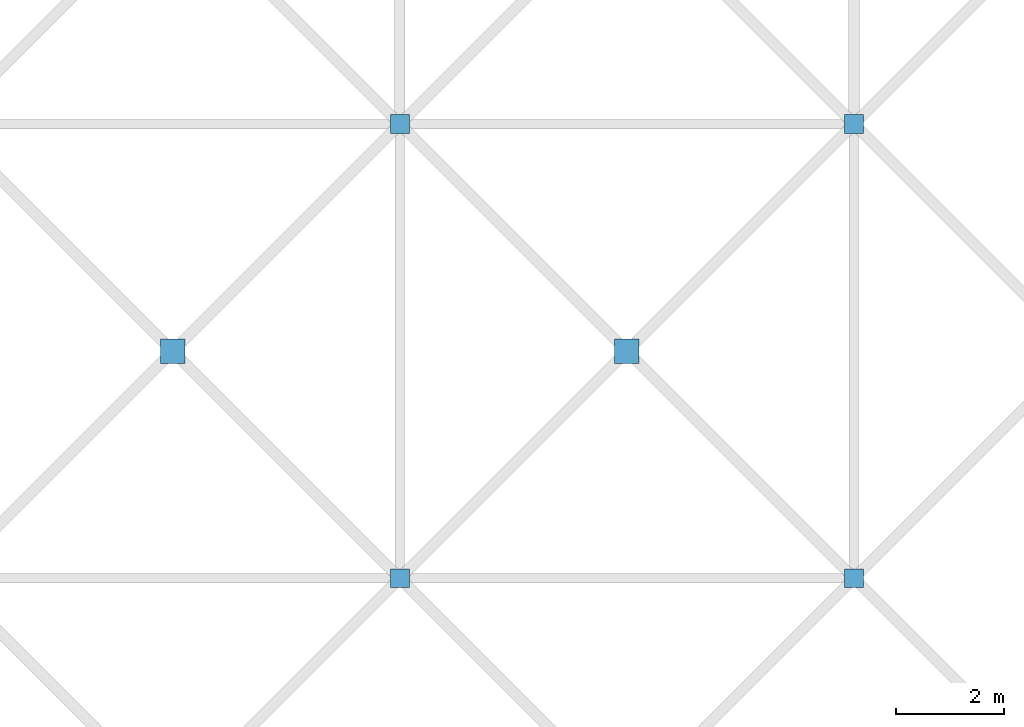
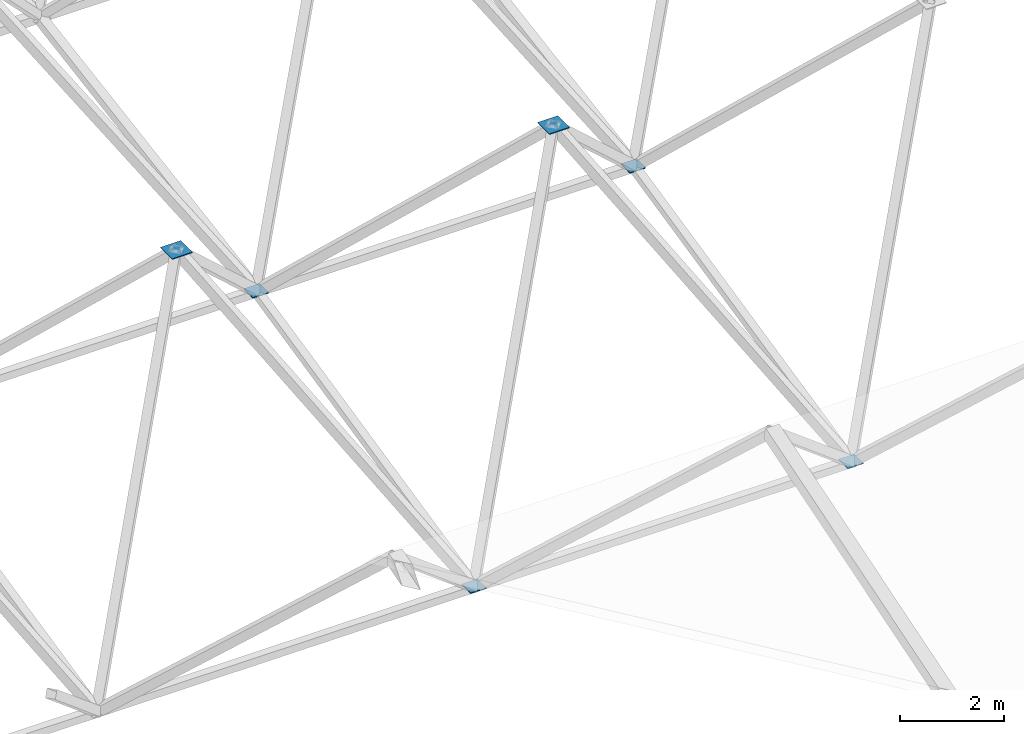
# One storey, part 59 of 85: 6 discrete accessories.
"""IFC4 building model written with IfcOpenShell, lengths in metres."""

from ifc_helpers import new_model, si_unit, direction, frame, origin, origin_2d, place, context, subcontext, project, spatial, rectangle, extrude, material, layer, layer_set, type_object, element, save


model = new_model("IFC4")

# Units and contexts
model_context = context("Model", 3, precision=1e-05, world=origin(), true_north=direction((0.0, 1.0)))
body_context = subcontext(model_context, "Body", "Model", "MODEL_VIEW")
ifc_project = project(units=[si_unit("LENGTHUNIT", "METRE"), si_unit("AREAUNIT", "SQUARE_METRE"), si_unit("VOLUMEUNIT", "CUBIC_METRE"), si_unit("PLANEANGLEUNIT", "RADIAN"), si_unit("MASSUNIT", "GRAM", prefix="KILO")], contexts=[model_context])

# Site, building, storey
site_placement = place(None, origin())
site = spatial("IfcSite", under=ifc_project, at=site_placement, CompositionType="ELEMENT")
building_placement = place(site_placement, origin())
building = spatial("IfcBuilding", under=site, at=building_placement, Name="Rain Tree Exposition and Congress Centre", CompositionType="ELEMENT")
storey_placement = place(building_placement, frame((0.0, 0.0, 15.0)))
storey = spatial("IfcBuildingStorey", under=building, at=storey_placement, Name="L03", CompositionType="ELEMENT", Elevation=15.0)

# Discrete accessories
ifc_material_1 = material(Name="Steel plate S355J2", Category="steel")
ifc_layer_1 = layer(ifc_material_1, 0.02001953125)
ifc_layer_set_1 = layer_set([ifc_layer_1], Name="Steel plate S355J2")
discrete_accessory_type_1 = type_object("IfcDiscreteAccessoryType", Name="Brace node plate 350x350x20", PredefinedType="BRACKET", material=ifc_layer_set_1)
for number, where, z_axis, x_axis, name in (
    (1, (113.39990234375, 113.39990234375, 0.72265625), (0.0, 0.0, 1.0), (1.0, 0.0, 0.0), "Brace node plate 350"),
    (2, (121.800048828125, 113.39990234375, 0.72265625), (0.0, 0.0, 1.0), (1.0, 0.0, 0.0), "Brace node plate 350"),
    (3, (113.39990234375, 121.800048828125, 2.58349609375), (0.0, 0.0, 1.0), (1.0, 0.0, 0.0), "Brace node plate 350"),
    (4, (121.800048828125, 121.800048828125, 2.58349609375), (0.0, 0.0, 1.0), (1.0, 0.0, 0.0), "Brace node plate 350"),
):
    element("IfcDiscreteAccessory", number, at=place(storey_placement, frame(where, z_axis=z_axis, x_axis=x_axis)), inside=storey, type_object=discrete_accessory_type_1, Name=name, PredefinedType="BRACKET", context=body_context, shape_type="SweptSolid", body=[
        extrude(rectangle(XDim=0.35009765625, YDim=0.35009765625, at=origin_2d()), origin(), (0.0, 0.0, 1.0), 0.02001953125),
    ])
ifc_material_2 = material(Name="Steel plate S355J2", Category="steel")
ifc_layer_2 = layer(ifc_material_2, 0.02001953125)
ifc_layer_set_2 = layer_set([ifc_layer_2], Name="Steel plate S355J2")
discrete_accessory_type_2 = type_object("IfcDiscreteAccessoryType", Name="Brace node plate 450x450x20", PredefinedType="BRACKET", material=ifc_layer_set_2)
for number, where, z_axis, x_axis, name in (
    (5, (109.199951171875, 117.60009765625, 7.564208984375), (0.0, 0.0, 1.0), (1.0, 0.0, 0.0), "Brace node plate 450"),
    (6, (117.60009765625, 117.60009765625, 7.564208984375), (0.0, 0.0, 1.0), (1.0, 0.0, 0.0), "Brace node plate 450"),
):
    element("IfcDiscreteAccessory", number, at=place(storey_placement, frame(where, z_axis=z_axis, x_axis=x_axis)), inside=storey, type_object=discrete_accessory_type_2, Name=name, PredefinedType="BRACKET", context=body_context, shape_type="SweptSolid", body=[
        extrude(rectangle(XDim=0.449951171875, YDim=0.449951171875, at=origin_2d()), origin(), (0.0, 0.0, 1.0), 0.02001953125),
    ])

save(model, "model.ifc")
